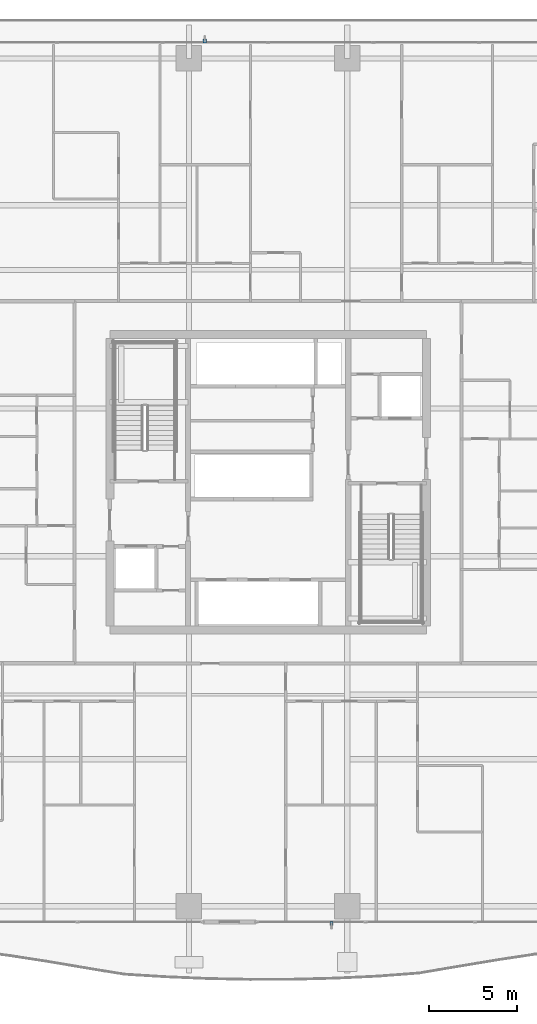
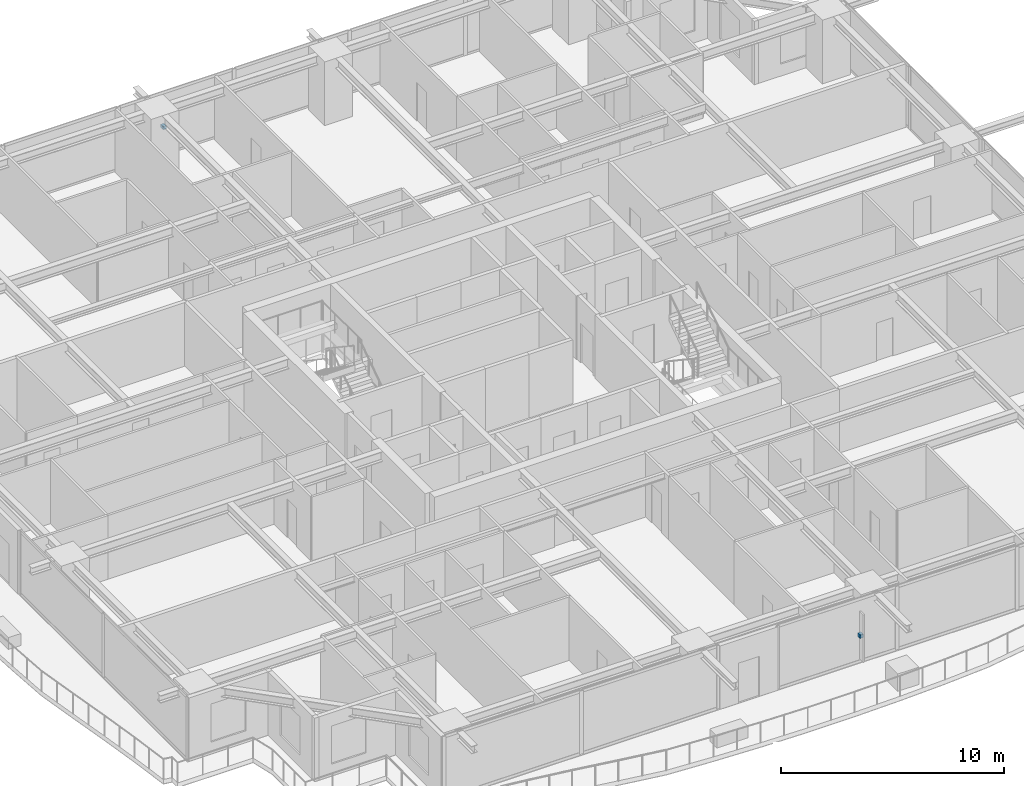
# One storey, part 33 of 41: 2 discrete accessories.
"""IFC4 building model written with IfcOpenShell, lengths in metres."""

from ifc_helpers import new_model, si_unit, direction, frame, origin, origin_2d, place, context, subcontext, project, spatial, rectangle, extrude, source, transform, mapped, material, type_object, element, save


model = new_model("IFC4")

# Units and contexts
model_context = context("Model", 3, precision=1e-05, world=origin(), true_north=direction((0.0, 1.0)))
body_context = subcontext(model_context, "Body", "Model", "MODEL_VIEW")
ifc_project = project(units=[si_unit("LENGTHUNIT", "METRE"), si_unit("AREAUNIT", "SQUARE_METRE"), si_unit("VOLUMEUNIT", "CUBIC_METRE"), si_unit("PLANEANGLEUNIT", "RADIAN"), si_unit("MASSUNIT", "GRAM", prefix="KILO")], contexts=[model_context])

# Site, building, storey
site_placement = place(None, origin())
site = spatial("IfcSite", under=ifc_project, at=site_placement, CompositionType="ELEMENT")
building_placement = place(site_placement, origin())
building = spatial("IfcBuilding", under=site, at=building_placement, Name="Serunith Strait Residences", CompositionType="ELEMENT")
storey_placement = place(building_placement, frame((0.0, 0.0, 75.449951171875)))
storey = spatial("IfcBuildingStorey", under=building, at=storey_placement, Name="L18", CompositionType="ELEMENT", Elevation=75.449951171875)

# Discrete accessories
ifc_material = material(Name="Stainless Steel Facade Cleat Bracket", Category="steel")
discrete_accessory_type = type_object("IfcDiscreteAccessoryType", Name="ACC-FIN-BRACKET", PredefinedType="USERDEFINED", material=ifc_material)
shared_shape = source(origin(), body_context, "Body", "SweptSolid", [
    extrude(rectangle(XDim=0.179931640625, YDim=0.219970703125, at=origin_2d()), origin(), (0.0, 0.0, 1.0), 0.179931640625),
])
for number, where, z_axis, x_axis, name in (
    (1, (36.0, 0.1201171875, 1.41015625), (0.0, 0.0, 1.0), (1.0, 0.0, 0.0), "L18 Solar Fin Cleat Bracket S"),
    (2, (28.800048828125, 50.280029296875, 1.41015625), (0.0, 0.0, 1.0), (1.0, 0.0, 0.0), "L18 Solar Fin Cleat Bracket N"),
):
    element("IfcDiscreteAccessory", number, at=place(storey_placement, frame(where, z_axis=z_axis, x_axis=x_axis)), inside=storey, type_object=discrete_accessory_type, Name=name, ObjectType="BRACKET", PredefinedType="USERDEFINED", context=body_context, shape_type="MappedRepresentation", body=[
        mapped(shared_shape, transform((0.0, 0.0, 0.0), scale=1.0)),
    ])

save(model, "model.ifc")
